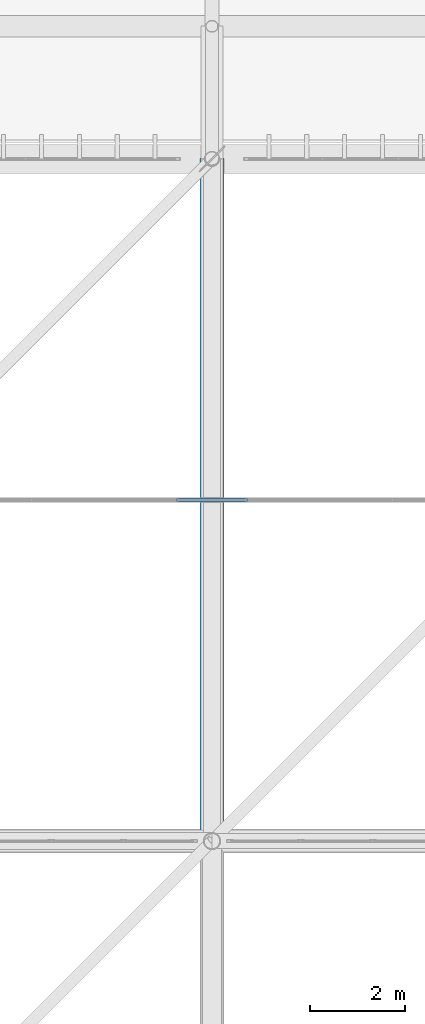
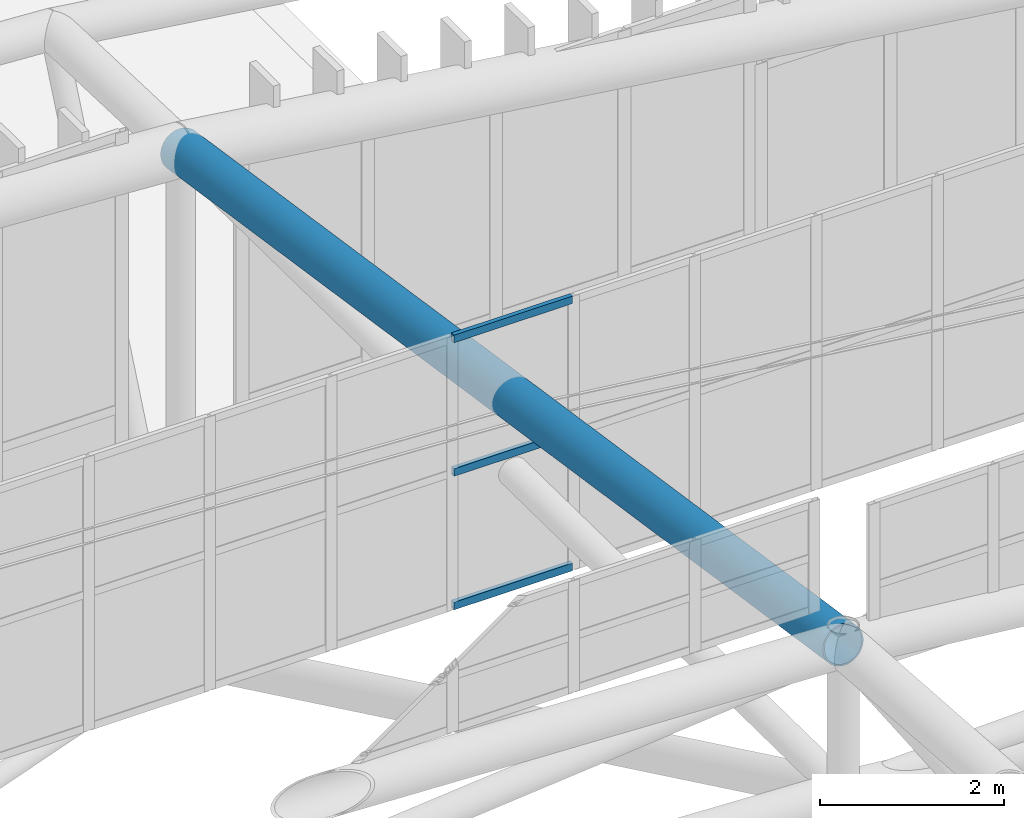
# One storey, part 316 of 397: 3 members, 1 beam, 1 element without a shape of its own.
"""IFC4 building model written with IfcOpenShell, lengths in metres."""

from ifc_helpers import new_model, si_unit, direction, frame, origin, origin_2d, place, context, subcontext, project, spatial, hollow_rectangle, hollow_circle, extrude, material, material_profile, profile_set, type_object, element, aggregate, save


model = new_model("IFC4")

# Units and contexts
model_context = context("Model", 3, precision=1e-05, world=origin(), true_north=direction((0.0, 1.0)))
body_context = subcontext(model_context, "Body", "Model", "MODEL_VIEW")
ifc_project = project(units=[si_unit("LENGTHUNIT", "METRE"), si_unit("AREAUNIT", "SQUARE_METRE"), si_unit("VOLUMEUNIT", "CUBIC_METRE"), si_unit("PLANEANGLEUNIT", "RADIAN"), si_unit("MASSUNIT", "GRAM", prefix="KILO")], contexts=[model_context])

# Site, building, storey
site_placement = place(None, origin())
site = spatial("IfcSite", under=ifc_project, at=site_placement, CompositionType="ELEMENT")
building_placement = place(site_placement, origin())
building = spatial("IfcBuilding", under=site, at=building_placement, Name="Qandorah Velis Arena", CompositionType="ELEMENT")
storey_placement = place(building_placement, frame((0.0, 0.0, 27.5)))
storey = spatial("IfcBuildingStorey", under=building, at=storey_placement, Name="RF", CompositionType="ELEMENT", Elevation=27.5)

# Curtain wall, members
ifc_material_1 = material(Name="Solar-control low-E double glazing", Category="glass")
curtain_wall_type = type_object("IfcCurtainWallType", Name="ARC-CW-SYS05", PredefinedType="USERDEFINED", material=ifc_material_1)
curtain_wall_placement = place(storey_placement, origin())
curtain_wall = element("IfcCurtainWall", 1, at=curtain_wall_placement, inside=storey, type_object=curtain_wall_type, Name="Unitised curtain wall MON-4-5", ObjectType="UNITISED CURTAIN WALL", PredefinedType="USERDEFINED")
ifc_material_2 = material(Name="Champagne-bronze anodized aluminium 6063-T6", Category="aluminium")
ifc_material_profile_1 = material_profile(ifc_material_2, hollow_rectangle(XDim=0.054931640625, YDim=0.10009765625, WallThickness=0.0029296875, at=origin_2d()), Name="ALU TRANSOM 55x100")
ifc_profile_set_1 = profile_set([ifc_material_profile_1], Name="Champagne-bronze anodized aluminium 6063-T6")
member_type = type_object("IfcMemberType", Name="ARC-CWT-100", PredefinedType="USERDEFINED", material=ifc_profile_set_1)
member_1_placement = place(storey_placement, frame((85.654296875, 108.0, 5.380126953125), z_axis=(1.0, 0.0, 0.0), x_axis=(0.0, 1.0, 0.0)))
member_1 = element("IfcMember", 2, at=member_1_placement, type_object=member_type, Name="CW05 transom 5.1", ObjectType="TRANSOM", PredefinedType="USERDEFINED", context=body_context, shape_type="SweptSolid", body=[
    extrude(hollow_rectangle(XDim=0.054931640625, YDim=0.10009765625, WallThickness=0.0029296875, at=origin_2d()), origin(), (0.0, 0.0, 1.0), 1.4912109375),
])
member_2_placement = place(storey_placement, frame((85.654296875, 108.0, 7.152587890625), z_axis=(1.0, 0.0, 0.0), x_axis=(0.0, 1.0, 0.0)))
member_2 = element("IfcMember", 3, at=member_2_placement, type_object=member_type, Name="CW05 transom 5.2", ObjectType="TRANSOM", PredefinedType="USERDEFINED", context=body_context, shape_type="SweptSolid", body=[
    extrude(hollow_rectangle(XDim=0.054931640625, YDim=0.10009765625, WallThickness=0.0029296875, at=origin_2d()), origin(), (0.0, 0.0, 1.0), 1.4912109375),
])
member_3_placement = place(storey_placement, frame((85.654296875, 108.0, 8.92529296875), z_axis=(1.0, 0.0, 0.0), x_axis=(0.0, 1.0, 0.0)))
member_3 = element("IfcMember", 4, at=member_3_placement, type_object=member_type, Name="CW05 transom 5.3", ObjectType="TRANSOM", PredefinedType="USERDEFINED", context=body_context, shape_type="SweptSolid", body=[
    extrude(hollow_rectangle(XDim=0.054931640625, YDim=0.10009765625, WallThickness=0.0029296875, at=origin_2d()), origin(), (0.0, 0.0, 1.0), 1.4912109375),
])
aggregate(curtain_wall, [member_1, member_2, member_3])

# Beam
ifc_material_3 = material(Name="Steel S355", Category="steel")
ifc_material_profile_2 = material_profile(ifc_material_3, hollow_circle(Radius=0.25390625, WallThickness=0.02001953125, at=origin_2d()), Name="CHS 508x20")
ifc_profile_set_2 = profile_set([ifc_material_profile_2], Name="Steel S355")
beam_type = type_object("IfcBeamType", Name="STR-SFC-CHS508X20", PredefinedType="USERDEFINED", material=ifc_profile_set_2)
beam_placement = place(storey_placement, frame((86.39990234375, 100.800048828125, 8.95947265625), z_axis=(0.0, 0.988934631036, -0.148351931359), x_axis=(-1.0, 0.0, 0.0)))
element("IfcBeam", 5, at=beam_placement, inside=storey, type_object=beam_type, Name="Space frame roof truss top chord Y 5.6", ObjectType="ROOF TRUSS", PredefinedType="USERDEFINED", context=body_context, shape_type="SweptSolid", body=[
    extrude(hollow_circle(Radius=0.25390625, WallThickness=0.02001953125, at=origin_2d()), origin(), (0.0, 0.0, 1.0), 14.56103515625),
])

save(model, "model.ifc")
